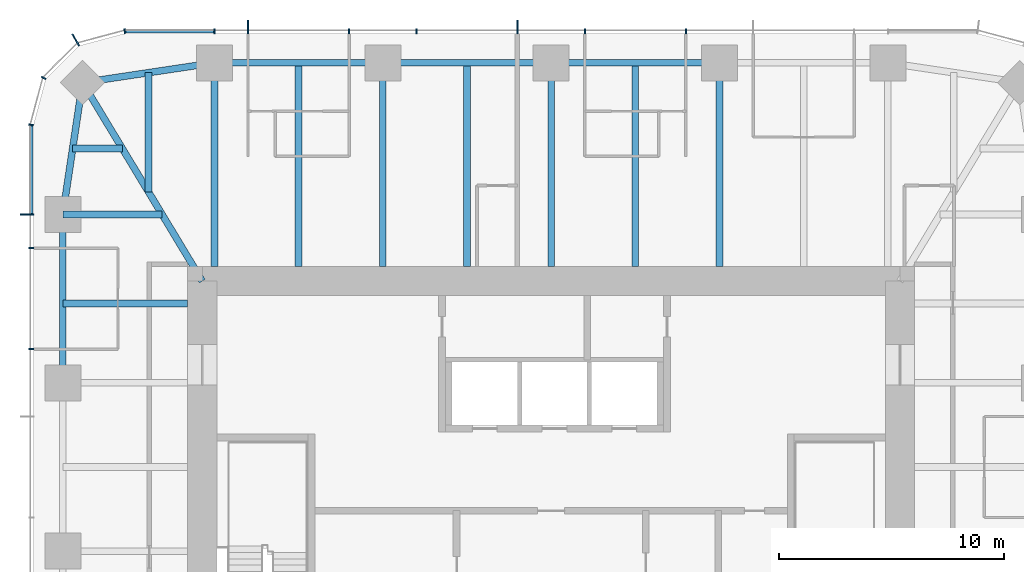
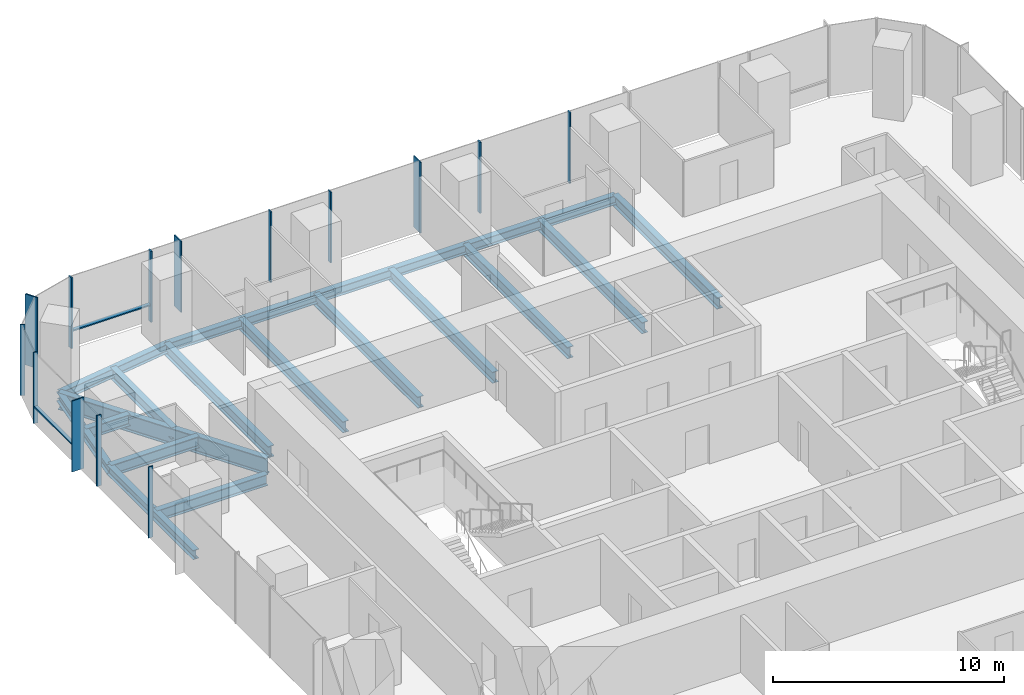
# One storey, part 5 of 12: 18 beams, 16 members, 3 elements without a shape of their own.
"""IFC4 building model written with IfcOpenShell, lengths in metres."""

from ifc_helpers import new_model, si_unit, direction, frame, origin, origin_2d, place, context, subcontext, project, spatial, rectangle, i_section, extrude, material, material_profile, profile_set, type_object, element, aggregate, save


model = new_model("IFC4")

# Units and contexts
model_context = context("Model", 3, precision=1e-05, world=origin(), true_north=direction((0.0, 1.0)))
body_context = subcontext(model_context, "Body", "Model", "MODEL_VIEW")
ifc_project = project(units=[si_unit("LENGTHUNIT", "METRE"), si_unit("AREAUNIT", "SQUARE_METRE"), si_unit("VOLUMEUNIT", "CUBIC_METRE"), si_unit("PLANEANGLEUNIT", "RADIAN"), si_unit("MASSUNIT", "GRAM", prefix="KILO")], contexts=[model_context])

# Site, building, storey
site_placement = place(None, origin())
site = spatial("IfcSite", under=ifc_project, at=site_placement, CompositionType="ELEMENT")
building_placement = place(site_placement, origin())
building = spatial("IfcBuilding", under=site, at=building_placement, Name="Khuree Lantern Residences", CompositionType="ELEMENT")
storey_placement = place(building_placement, frame((0.0, 0.0, 338.25)))
storey = spatial("IfcBuildingStorey", under=building, at=storey_placement, Name="L85", CompositionType="ELEMENT", Elevation=338.25)

# Beams
ifc_material_1 = material(Name="Steel S355", Category="steel")
ifc_material_profile_1 = material_profile(ifc_material_1, i_section(OverallWidth=0.300048828125, OverallDepth=0.590087890625, WebThickness=0.012939453125, FlangeThickness=0.02490234375, FilletRadius=0.027099609375, at=origin_2d()), Name="HE 600 A")
ifc_profile_set_1 = profile_set([ifc_material_profile_1], Name="Steel S355")
beam_type_1 = type_object("IfcBeamType", Name="B-44 SECONDARY BEAM HE 600 A", PredefinedType="BEAM", material=ifc_profile_set_1)
for number, where, z_axis, x_axis, name in (
    (1, (-11.219970703125, 21.699951171875, -0.544921875), (0.0, -1.0, 0.0), (1.0, 0.0, 0.0), "Secondary beam N1"),
    (2, (-3.739990234375, 21.699951171875, -0.544921875), (0.0, -1.0, 0.0), (1.0, 0.0, 0.0), "Secondary beam N2"),
    (3, (3.739990234375, 21.699951171875, -0.544921875), (0.0, -1.0, 0.0), (1.0, 0.0, 0.0), "Secondary beam N3"),
):
    element("IfcBeam", number, at=place(storey_placement, frame(where, z_axis=z_axis, x_axis=x_axis)), inside=storey, type_object=beam_type_1, Name=name, PredefinedType="BEAM", context=body_context, shape_type="SweptSolid", body=[
        extrude(i_section(OverallWidth=0.300048828125, OverallDepth=0.590087890625, WebThickness=0.012939453125, FlangeThickness=0.02490234375, FilletRadius=0.027099609375, at=origin_2d()), origin(), (0.0, 0.0, 1.0), 9.050048828125),
    ])
beam_1_placement = place(storey_placement, frame((-21.699951171875, 11.0, -0.544921875), z_axis=(1.0, 0.0, 0.0), x_axis=(0.0, 1.0, 0.0)))
element("IfcBeam", 4, at=beam_1_placement, inside=storey, type_object=beam_type_1, Name="Secondary beam W5", PredefinedType="BEAM", context=body_context, shape_type="SweptSolid", body=[
    extrude(i_section(OverallWidth=0.300048828125, OverallDepth=0.590087890625, WebThickness=0.012939453125, FlangeThickness=0.02490234375, FilletRadius=0.027099609375, at=origin_2d()), origin(), (0.0, 0.0, 1.0), 5.550048828125),
])
beam_2_placement = place(storey_placement, frame((-21.2607421875, 17.890625, -0.544921875), z_axis=(1.0, 0.0, 0.0), x_axis=(0.0, 1.0, 0.0)))
element("IfcBeam", 5, at=beam_2_placement, inside=storey, type_object=beam_type_1, Name="Secondary beam W6", PredefinedType="BEAM", context=body_context, shape_type="SweptSolid", body=[
    extrude(i_section(OverallWidth=0.300048828125, OverallDepth=0.590087890625, WebThickness=0.012939453125, FlangeThickness=0.02490234375, FilletRadius=0.027099609375, at=origin_2d()), origin(), (0.0, 0.0, 1.0), 2.207275390625),
])
beam_3_placement = place(storey_placement, frame((-17.890625, 21.2607421875, -0.544921875), z_axis=(0.0, -1.0, 0.0), x_axis=(1.0, 0.0, 0.0)))
element("IfcBeam", 6, at=beam_3_placement, inside=storey, type_object=beam_type_1, Name="Secondary beam N6", PredefinedType="BEAM", context=body_context, shape_type="SweptSolid", body=[
    extrude(i_section(OverallWidth=0.300048828125, OverallDepth=0.590087890625, WebThickness=0.012939453125, FlangeThickness=0.02490234375, FilletRadius=0.027099609375, at=origin_2d()), origin(), (0.0, 0.0, 1.0), 5.297607421875),
])
ifc_material_profile_2 = material_profile(ifc_material_1, i_section(OverallWidth=0.300048828125, OverallDepth=0.489990234375, WebThickness=0.011962890625, FlangeThickness=0.02294921875, FilletRadius=0.027099609375, at=origin_2d()), Name="HE 500 A")
ifc_profile_set_2 = profile_set([ifc_material_profile_2], Name="Steel S355")
beam_type_2 = type_object("IfcBeamType", Name="E-44 SPANDREL BEAM HE 500 A", PredefinedType="SPANDREL", material=ifc_profile_set_2)
for number, where, z_axis, x_axis, name in (
    (7, (-14.9599609375, 21.699951171875, -0.4951171875), (1.0, 0.0, 0.0), (0.0, 1.0, 0.0), "Spandrel beam N1"),
    (8, (-7.47998046875, 21.699951171875, -0.4951171875), (1.0, 0.0, 0.0), (0.0, 1.0, 0.0), "Spandrel beam N2"),
    (9, (0.0, 21.699951171875, -0.4951171875), (1.0, 0.0, 0.0), (0.0, 1.0, 0.0), "Spandrel beam N3"),
    (10, (-21.699951171875, 7.47998046875, -0.4951171875), (0.0, 1.0, 0.0), (-1.0, 0.0, 0.0), "Spandrel beam W5"),
):
    element("IfcBeam", number, at=place(storey_placement, frame(where, z_axis=z_axis, x_axis=x_axis)), inside=storey, type_object=beam_type_2, Name=name, PredefinedType="SPANDREL", context=body_context, shape_type="SweptSolid", body=[
        extrude(i_section(OverallWidth=0.300048828125, OverallDepth=0.489990234375, WebThickness=0.011962890625, FlangeThickness=0.02294921875, FilletRadius=0.027099609375, at=origin_2d()), origin(), (0.0, 0.0, 1.0), 7.47998046875),
    ])
for number, where, z_axis, x_axis, name in (
    (11, (-21.699951171875, 14.9599609375, -0.4951171875), (0.148251822985, 0.988949643299, 0.0), (-0.988949643299, 0.148251822985, 0.0), "Spandrel beam W6"),
    (12, (-20.8212890625, 20.8212890625, -0.4951171875), (0.988949643299, 0.148251822985, 0.0), (-0.148251822985, 0.988949643299, 0.0), "Spandrel beam N6"),
):
    element("IfcBeam", number, at=place(storey_placement, frame(where, z_axis=z_axis, x_axis=x_axis)), inside=storey, type_object=beam_type_2, Name=name, PredefinedType="SPANDREL", context=body_context, shape_type="SweptSolid", body=[
        extrude(i_section(OverallWidth=0.300048828125, OverallDepth=0.489990234375, WebThickness=0.011962890625, FlangeThickness=0.02294921875, FilletRadius=0.027099609375, at=origin_2d()), origin(), (0.0, 0.0, 1.0), 5.9267578125),
    ])

# Curtain wall, members
ifc_material_2 = material(Name="Bronze anodised aluminium", Category="aluminium")
curtain_wall_type_1 = type_object("IfcCurtainWallType", Name="CW-T1 TOWER FACE CURTAIN WALL", PredefinedType="USERDEFINED", material=ifc_material_2)
curtain_wall_1_placement = place(storey_placement, origin())
curtain_wall_1 = element("IfcCurtainWall", 13, at=curtain_wall_1_placement, inside=storey, type_object=curtain_wall_type_1, Name="L85 NORTH FACE CURTAIN WALL", ObjectType="Stick-built curtain wall", PredefinedType="USERDEFINED")
ifc_material_profile_3 = material_profile(ifc_material_2, rectangle(XDim=0.06494140625, YDim=0.60009765625, at=origin_2d()), Name="F1 65X600")
ifc_profile_set_3 = profile_set([ifc_material_profile_3], Name="Bronze anodised aluminium")
member_type_1 = type_object("IfcMemberType", Name="F1 BRONZE FIN MULLION TOWER 65X600", PredefinedType="MULLION", material=ifc_profile_set_3)
member_1_placement = place(storey_placement, frame((-1.49609375, 23.300048828125, 0.0), z_axis=(0.0, 0.0, 1.0), x_axis=(-1.0, 0.0, 0.0)))
member_1 = element("IfcMember", 14, at=member_1_placement, type_object=member_type_1, Name="L85 NORTH FACE FIN MULLION 24", PredefinedType="MULLION", context=body_context, shape_type="SweptSolid", body=[
    extrude(rectangle(XDim=0.06494140625, YDim=0.60009765625, at=origin_2d()), origin(), (0.0, 0.0, 1.0), 3.75),
])
member_2_placement = place(storey_placement, frame((-13.464111328125, 23.300048828125, 0.0), z_axis=(0.0, 0.0, 1.0), x_axis=(-1.0, 0.0, 0.0)))
member_2 = element("IfcMember", 15, at=member_2_placement, type_object=member_type_1, Name="L85 NORTH FACE FIN MULLION 27", PredefinedType="MULLION", context=body_context, shape_type="SweptSolid", body=[
    extrude(rectangle(XDim=0.06494140625, YDim=0.60009765625, at=origin_2d()), origin(), (0.0, 0.0, 1.0), 3.75),
])

# Curtain wall, member
curtain_wall_type_2 = type_object("IfcCurtainWallType", Name="CW-T2 TOWER CORNER CURTAIN WALL", PredefinedType="USERDEFINED", material=ifc_material_2)
curtain_wall_2_placement = place(storey_placement, origin())
curtain_wall_2 = element("IfcCurtainWall", 16, at=curtain_wall_2_placement, inside=storey, type_object=curtain_wall_type_2, Name="L85 NORTH-WEST CORNER CURTAIN WALL", ObjectType="Faceted corner curtain wall", PredefinedType="USERDEFINED")
member_3_placement = place(storey_placement, frame((-21.125, 22.71728515625, 0.0), z_axis=(0.0, 0.0, 1.0), x_axis=(-0.866025437565, -0.49999994149, 0.0)))
member_3 = element("IfcMember", 17, at=member_3_placement, type_object=member_type_1, Name="L85 NORTH-WEST CORNER FIN MULLION 30", PredefinedType="MULLION", context=body_context, shape_type="SweptSolid", body=[
    extrude(rectangle(XDim=0.06494140625, YDim=0.60009765625, at=origin_2d()), origin(), (0.0, 0.0, 1.0), 3.75),
])

curtain_wall_3_placement = place(storey_placement, origin())
curtain_wall_3 = element("IfcCurtainWall", 18, at=curtain_wall_3_placement, inside=storey, type_object=curtain_wall_type_1, Name="L85 WEST FACE CURTAIN WALL", ObjectType="Stick-built curtain wall", PredefinedType="USERDEFINED")
member_4_placement = place(storey_placement, frame((-23.300048828125, 14.9599609375, 0.0), z_axis=(0.0, 0.0, 1.0), x_axis=(0.0, -1.0, 0.0)))
member_4 = element("IfcMember", 19, at=member_4_placement, type_object=member_type_1, Name="L85 WEST FACE FIN MULLION 33", PredefinedType="MULLION", context=body_context, shape_type="SweptSolid", body=[
    extrude(rectangle(XDim=0.06494140625, YDim=0.60009765625, at=origin_2d()), origin(), (0.0, 0.0, 1.0), 3.75),
])

# Beams
ifc_material_profile_4 = material_profile(ifc_material_1, i_section(OverallWidth=0.300048828125, OverallDepth=0.60009765625, WebThickness=0.015380859375, FlangeThickness=0.030029296875, FilletRadius=0.027099609375, at=origin_2d()), Name="HE 600 B")
ifc_profile_set_4 = profile_set([ifc_material_profile_4], Name="Steel S355")
beam_type_3 = type_object("IfcBeamType", Name="G-44 GIRDER HE 600 B", PredefinedType="BEAM", material=ifc_profile_set_4)
for number, where, z_axis, x_axis, name in (
    (20, (-14.9599609375, 21.699951171875, -0.550048828125), (0.0, -1.0, 0.0), (1.0, 0.0, 0.0), "Girder N1"),
    (21, (-7.47998046875, 21.699951171875, -0.550048828125), (0.0, -1.0, 0.0), (1.0, 0.0, 0.0), "Girder N2"),
    (22, (0.0, 21.699951171875, -0.550048828125), (0.0, -1.0, 0.0), (1.0, 0.0, 0.0), "Girder N3"),
    (23, (7.47998046875, 21.699951171875, -0.550048828125), (0.0, -1.0, 0.0), (1.0, 0.0, 0.0), "Girder N4"),
):
    element("IfcBeam", number, at=place(storey_placement, frame(where, z_axis=z_axis, x_axis=x_axis)), inside=storey, type_object=beam_type_3, Name=name, PredefinedType="BEAM", context=body_context, shape_type="SweptSolid", body=[
        extrude(i_section(OverallWidth=0.300048828125, OverallDepth=0.60009765625, WebThickness=0.015380859375, FlangeThickness=0.030029296875, FilletRadius=0.027099609375, at=origin_2d()), origin(), (0.0, 0.0, 1.0), 9.050048828125),
    ])
beam_4_placement = place(storey_placement, frame((-21.699951171875, 14.9599609375, -0.550048828125), z_axis=(1.0, 0.0, 0.0), x_axis=(0.0, 1.0, 0.0)))
element("IfcBeam", 24, at=beam_4_placement, inside=storey, type_object=beam_type_3, Name="Girder W5", PredefinedType="BEAM", context=body_context, shape_type="SweptSolid", body=[
    extrude(i_section(OverallWidth=0.300048828125, OverallDepth=0.60009765625, WebThickness=0.015380859375, FlangeThickness=0.030029296875, FilletRadius=0.027099609375, at=origin_2d()), origin(), (0.0, 0.0, 1.0), 4.414306640625),
])
ifc_material_profile_5 = material_profile(ifc_material_1, i_section(OverallWidth=0.300048828125, OverallDepth=0.89990234375, WebThickness=0.0185546875, FlangeThickness=0.034912109375, FilletRadius=0.030029296875, at=origin_2d()), Name="HE 900 B")
ifc_profile_set_5 = profile_set([ifc_material_profile_5], Name="Steel S355")
beam_type_4 = type_object("IfcBeamType", Name="GD-44 CORNER GIRDER HE 900 B", PredefinedType="BEAM", material=ifc_profile_set_5)
beam_5_placement = place(storey_placement, frame((-20.8212890625, 20.8212890625, -0.699951171875), z_axis=(0.516529577604, -0.856269347495, 0.0), x_axis=(0.856269347495, 0.516529577604, 0.0)))
element("IfcBeam", 25, at=beam_5_placement, inside=storey, type_object=beam_type_4, Name="Corner girder NW", PredefinedType="BEAM", context=body_context, shape_type="SweptSolid", body=[
    extrude(i_section(OverallWidth=0.300048828125, OverallDepth=0.89990234375, WebThickness=0.0185546875, FlangeThickness=0.034912109375, FilletRadius=0.030029296875, at=origin_2d()), origin(), (0.0, 0.0, 1.0), 10.302001953125),
])

# Member
ifc_material_profile_6 = material_profile(ifc_material_2, rectangle(XDim=0.06494140625, YDim=0.219970703125, at=origin_2d()), Name="M1 65X220")
ifc_profile_set_6 = profile_set([ifc_material_profile_6], Name="Bronze anodised aluminium")
member_type_2 = type_object("IfcMemberType", Name="M1 BRONZE MULLION TOWER 65X220", PredefinedType="MULLION", material=ifc_profile_set_6)
member_5_placement = place(storey_placement, frame((5.98388671875, 23.110107421875, 0.0), z_axis=(0.0, 0.0, 1.0), x_axis=(-1.0, 0.0, 0.0)))
member_5 = element("IfcMember", 26, at=member_5_placement, type_object=member_type_2, Name="L85 NORTH FACE MULLION 22", PredefinedType="MULLION", context=body_context, shape_type="SweptSolid", body=[
    extrude(rectangle(XDim=0.06494140625, YDim=0.219970703125, at=origin_2d()), origin(), (0.0, 0.0, 1.0), 3.75),
])

member_6_placement = place(storey_placement, frame((1.49609375, 23.110107421875, 0.0), z_axis=(0.0, 0.0, 1.0), x_axis=(-1.0, 0.0, 0.0)))
member_6 = element("IfcMember", 27, at=member_6_placement, type_object=member_type_2, Name="L85 NORTH FACE MULLION 23", PredefinedType="MULLION", context=body_context, shape_type="SweptSolid", body=[
    extrude(rectangle(XDim=0.06494140625, YDim=0.219970703125, at=origin_2d()), origin(), (0.0, 0.0, 1.0), 3.75),
])

member_7_placement = place(storey_placement, frame((-5.98388671875, 23.110107421875, 0.0), z_axis=(0.0, 0.0, 1.0), x_axis=(-1.0, 0.0, 0.0)))
member_7 = element("IfcMember", 28, at=member_7_placement, type_object=member_type_2, Name="L85 NORTH FACE MULLION 25", PredefinedType="MULLION", context=body_context, shape_type="SweptSolid", body=[
    extrude(rectangle(XDim=0.06494140625, YDim=0.219970703125, at=origin_2d()), origin(), (0.0, 0.0, 1.0), 3.75),
])

member_8_placement = place(storey_placement, frame((-8.97607421875, 23.110107421875, 0.0), z_axis=(0.0, 0.0, 1.0), x_axis=(-1.0, 0.0, 0.0)))
member_8 = element("IfcMember", 29, at=member_8_placement, type_object=member_type_2, Name="L85 NORTH FACE MULLION 26", PredefinedType="MULLION", context=body_context, shape_type="SweptSolid", body=[
    extrude(rectangle(XDim=0.06494140625, YDim=0.219970703125, at=origin_2d()), origin(), (0.0, 0.0, 1.0), 3.75),
])

member_9_placement = place(storey_placement, frame((-14.9599609375, 23.110107421875, 0.0), z_axis=(0.0, 0.0, 1.0), x_axis=(-1.0, 0.0, 0.0)))
member_9 = element("IfcMember", 30, at=member_9_placement, type_object=member_type_2, Name="L85 NORTH FACE MULLION 28", PredefinedType="MULLION", context=body_context, shape_type="SweptSolid", body=[
    extrude(rectangle(XDim=0.06494140625, YDim=0.219970703125, at=origin_2d()), origin(), (0.0, 0.0, 1.0), 3.75),
])

member_10_placement = place(storey_placement, frame((-18.945068359375, 23.11181640625, 0.0), z_axis=(0.0, 0.0, 1.0), x_axis=(-0.991444870192, -0.130526125236, 0.0)))
member_10 = element("IfcMember", 31, at=member_10_placement, type_object=member_type_2, Name="L85 NORTH-WEST CORNER MULLION 29", PredefinedType="MULLION", context=body_context, shape_type="SweptSolid", body=[
    extrude(rectangle(XDim=0.06494140625, YDim=0.219970703125, at=origin_2d()), origin(), (0.0, 0.0, 1.0), 3.75),
])

member_11_placement = place(storey_placement, frame((-22.552734375, 21.030029296875, 0.0), z_axis=(0.0, 0.0, 1.0), x_axis=(-0.49999994149, -0.866025437565, 0.0)))
member_11 = element("IfcMember", 32, at=member_11_placement, type_object=member_type_2, Name="L85 NORTH-WEST CORNER MULLION 31", PredefinedType="MULLION", context=body_context, shape_type="SweptSolid", body=[
    extrude(rectangle(XDim=0.06494140625, YDim=0.219970703125, at=origin_2d()), origin(), (0.0, 0.0, 1.0), 3.75),
])

aggregate(curtain_wall_2, [member_10, member_3, member_11])

member_12_placement = place(storey_placement, frame((-23.11181640625, 18.945068359375, 0.0), z_axis=(0.0, 0.0, 1.0), x_axis=(-0.130526125236, -0.991444870192, 0.0)))
member_12 = element("IfcMember", 33, at=member_12_placement, type_object=member_type_2, Name="L85 WEST FACE MULLION 32", PredefinedType="MULLION", context=body_context, shape_type="SweptSolid", body=[
    extrude(rectangle(XDim=0.06494140625, YDim=0.219970703125, at=origin_2d()), origin(), (0.0, 0.0, 1.0), 3.75),
])

member_13_placement = place(storey_placement, frame((-23.110107421875, 13.464111328125, 0.0), z_axis=(0.0, 0.0, 1.0), x_axis=(0.0, -1.0, 0.0)))
member_13 = element("IfcMember", 34, at=member_13_placement, type_object=member_type_2, Name="L85 WEST FACE MULLION 34", PredefinedType="MULLION", context=body_context, shape_type="SweptSolid", body=[
    extrude(rectangle(XDim=0.06494140625, YDim=0.219970703125, at=origin_2d()), origin(), (0.0, 0.0, 1.0), 3.75),
])

member_14_placement = place(storey_placement, frame((-23.110107421875, 8.97607421875, 0.0), z_axis=(0.0, 0.0, 1.0), x_axis=(0.0, -1.0, 0.0)))
member_14 = element("IfcMember", 35, at=member_14_placement, type_object=member_type_2, Name="L85 WEST FACE MULLION 35", PredefinedType="MULLION", context=body_context, shape_type="SweptSolid", body=[
    extrude(rectangle(XDim=0.06494140625, YDim=0.219970703125, at=origin_2d()), origin(), (0.0, 0.0, 1.0), 3.75),
])

ifc_material_profile_7 = material_profile(ifc_material_2, rectangle(XDim=0.179931640625, YDim=0.06494140625, at=origin_2d()), Name="T1 180X65")
ifc_profile_set_7 = profile_set([ifc_material_profile_7], Name="Bronze anodised aluminium")
member_type_3 = type_object("IfcMemberType", Name="TRANSOM T1 TOWER 180X65", PredefinedType="USERDEFINED", material=ifc_profile_set_7)
member_15_placement = place(storey_placement, frame((-14.992431640625, 23.1201171875, 0.89990234375), z_axis=(-1.0, 0.0, 0.0), x_axis=(0.0, -1.0, 0.0)))
member_15 = element("IfcMember", 36, at=member_15_placement, type_object=member_type_3, Name="L85 NORTH FACE TRANSOM 28.1", ObjectType="Transom", PredefinedType="USERDEFINED", context=body_context, shape_type="SweptSolid", body=[
    extrude(rectangle(XDim=0.179931640625, YDim=0.06494140625, at=origin_2d()), origin(), (0.0, 0.0, 1.0), 3.908935546875),
])

aggregate(curtain_wall_1, [member_5, member_6, member_1, member_7, member_8, member_2, member_9, member_15])

member_16_placement = place(storey_placement, frame((-23.1201171875, 18.9013671875, 0.89990234375), z_axis=(0.0, -1.0, 0.0), x_axis=(1.0, 0.0, 0.0)))
member_16 = element("IfcMember", 37, at=member_16_placement, type_object=member_type_3, Name="L85 WEST FACE TRANSOM 32.1", ObjectType="Transom", PredefinedType="USERDEFINED", context=body_context, shape_type="SweptSolid", body=[
    extrude(rectangle(XDim=0.179931640625, YDim=0.06494140625, at=origin_2d()), origin(), (0.0, 0.0, 1.0), 3.908935546875),
])

aggregate(curtain_wall_3, [member_12, member_4, member_13, member_14, member_16])

save(model, "model.ifc")
